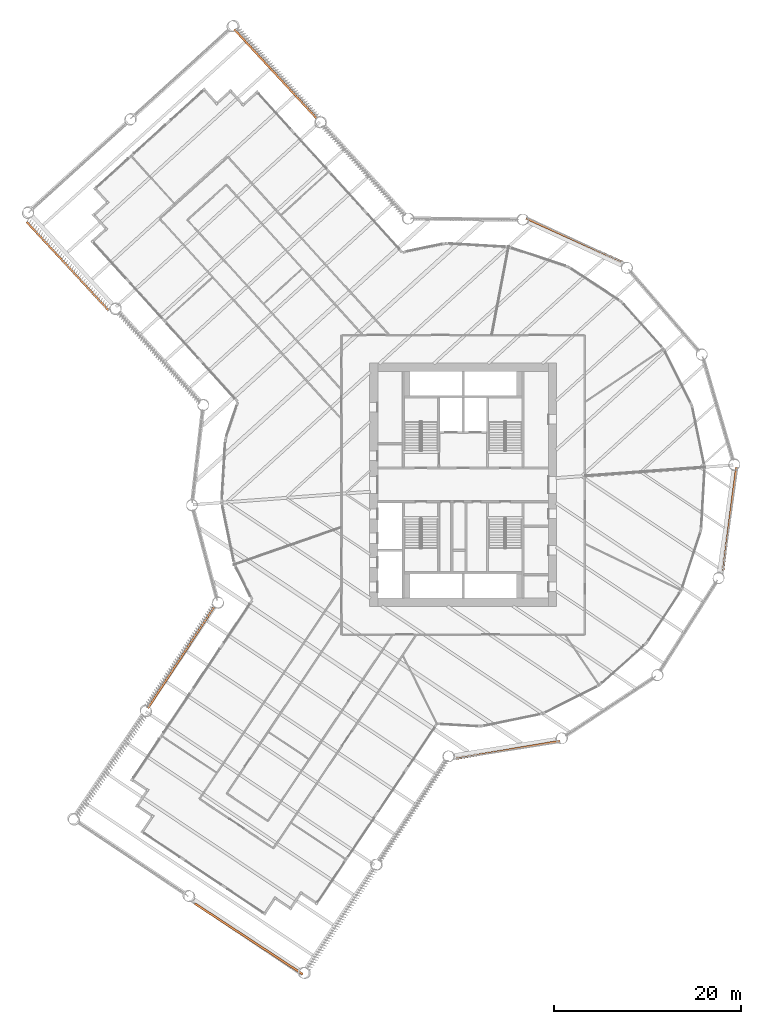
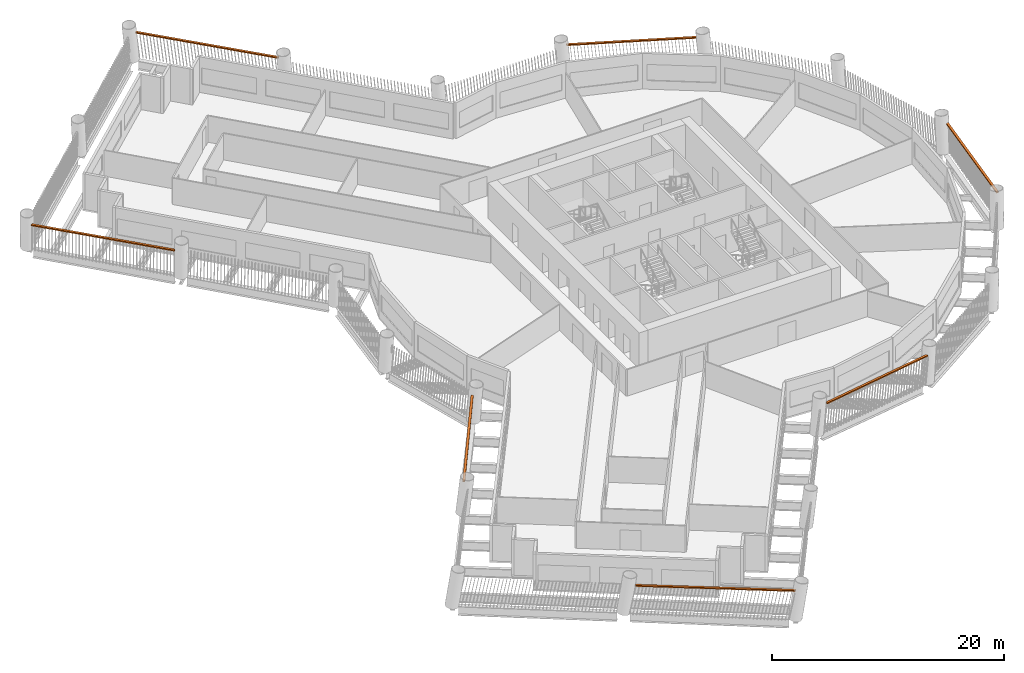
# One storey, part 15 of 15: 7 proxies.
"""IFC4 building model written with IfcOpenShell, lengths in metres."""

from ifc_helpers import new_model, si_unit, direction, frame, origin, origin_2d, place, context, subcontext, project, spatial, rectangle, extrude, material, type_object, element, save


model = new_model("IFC4")

# Units and contexts
model_context = context("Model", 3, precision=1e-05, world=origin(), true_north=direction((0.0, 1.0)))
body_context = subcontext(model_context, "Body", "Model", "MODEL_VIEW")
ifc_project = project(units=[si_unit("LENGTHUNIT", "METRE"), si_unit("AREAUNIT", "SQUARE_METRE"), si_unit("VOLUMEUNIT", "CUBIC_METRE"), si_unit("PLANEANGLEUNIT", "RADIAN"), si_unit("MASSUNIT", "GRAM", prefix="KILO")], contexts=[model_context])

# Site, building, storey
site_placement = place(None, origin())
site = spatial("IfcSite", under=ifc_project, at=site_placement, CompositionType="ELEMENT")
building_placement = place(site_placement, origin())
building = spatial("IfcBuilding", under=site, at=building_placement, Name="Tarsis Ring Headquarters", CompositionType="ELEMENT")
storey_placement = place(building_placement, frame((0.0, 0.0, 59.5)))
storey = spatial("IfcBuildingStorey", under=building, at=storey_placement, Name="L12", CompositionType="ELEMENT", Elevation=59.5)

# Proxies
ifc_material = material(Name="Structural steel S355", Category="steel")
building_element_proxy_type = type_object("IfcBuildingElementProxyType", Name="Screen bracket plate", PredefinedType="USERDEFINED", material=ifc_material)
proxy_1_placement = place(storey_placement, frame((-30.147705078125, -18.45068359375, 2.95263671875), z_axis=(0.0, 0.0, 1.0), x_axis=(-0.547563238097, -0.836764303902, 0.0)))
element("IfcBuildingElementProxy", 1, at=proxy_1_placement, inside=storey, type_object=building_element_proxy_type, Name="Screen bracket L12-01", ObjectType="Bracket", PredefinedType="USERDEFINED", context=body_context, shape_type="SweptSolid", body=[
    extrude(rectangle(XDim=12.90234375, YDim=0.222900390625, at=origin_2d()), origin(), (0.0, 0.0, 1.0), 0.1201171875),
])
proxy_2_placement = place(storey_placement, frame((-22.896484375, -48.50390625, 2.95263671875), z_axis=(0.0, 0.0, 1.0), x_axis=(0.836764284789, -0.547563267305, 0.0)))
element("IfcBuildingElementProxy", 2, at=proxy_2_placement, inside=storey, type_object=building_element_proxy_type, Name="Screen bracket L12-04", ObjectType="Bracket", PredefinedType="USERDEFINED", context=body_context, shape_type="SweptSolid", body=[
    extrude(rectangle(XDim=13.800048828125, YDim=0.222900390625, at=origin_2d()), origin(), (0.0, 0.0, 1.0), 0.1201171875),
])
for number, where, z_axis, x_axis, name in (
    (3, (4.7900390625, -28.31689453125, 2.95263671875), (0.0, 0.0, 1.0), (0.985992311175, 0.166790774037, 0.0), "Screen bracket L12-07"),
    (4, (28.481689453125, -3.6845703125, 2.95263671875), (0.0, 0.0, 1.0), (0.12829790825, 0.991735673826, 0.0), "Screen bracket L12-10"),
    (5, (11.83837890625, 26.165771484375, 2.95263671875), (0.0, 0.0, 1.0), (-0.911088635112, 0.412210503225, 0.0), "Screen bracket L12-13"),
):
    element("IfcBuildingElementProxy", number, at=place(storey_placement, frame(where, z_axis=z_axis, x_axis=x_axis)), inside=storey, type_object=building_element_proxy_type, Name=name, ObjectType="Bracket", PredefinedType="USERDEFINED", context=body_context, shape_type="SweptSolid", body=[
        extrude(rectangle(XDim=11.248779296875, YDim=0.222900390625, at=origin_2d()), origin(), (0.0, 0.0, 1.0), 0.1201171875),
    ])
for number, where, z_axis, x_axis, name in (
    (6, (-20.054931640625, 43.916259765625, 2.95263671875), (0.0, 0.0, 1.0), (-0.679441253038, 0.733729911937, 0.0), "Screen bracket L12-16"),
    (7, (-42.248291015625, 23.365234375, 2.95263671875), (0.0, 0.0, 1.0), (0.679441291456, -0.733729876361, 0.0), "Screen bracket L12-19"),
):
    element("IfcBuildingElementProxy", number, at=place(storey_placement, frame(where, z_axis=z_axis, x_axis=x_axis)), inside=storey, type_object=building_element_proxy_type, Name=name, ObjectType="Bracket", PredefinedType="USERDEFINED", context=body_context, shape_type="SweptSolid", body=[
        extrude(rectangle(XDim=12.90234375, YDim=0.222900390625, at=origin_2d()), origin(), (0.0, 0.0, 1.0), 0.1201171875),
    ])

save(model, "model.ifc")
